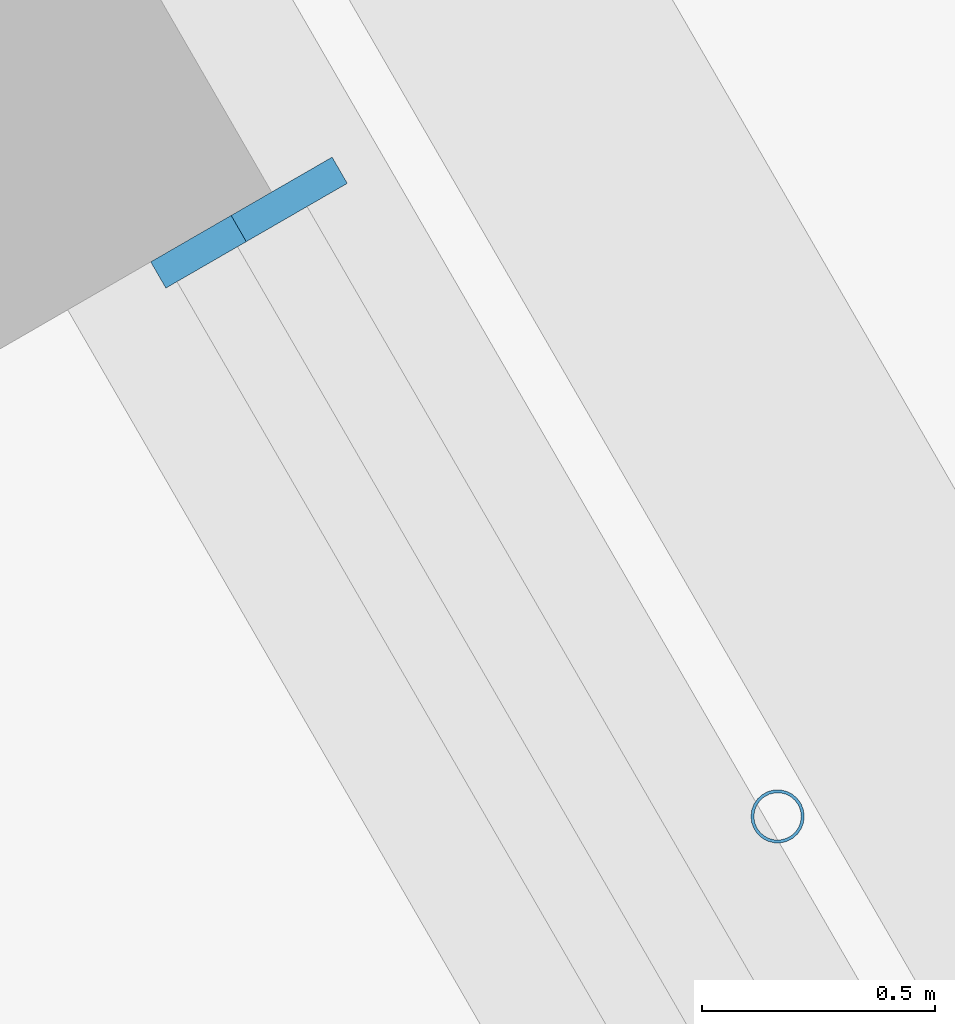
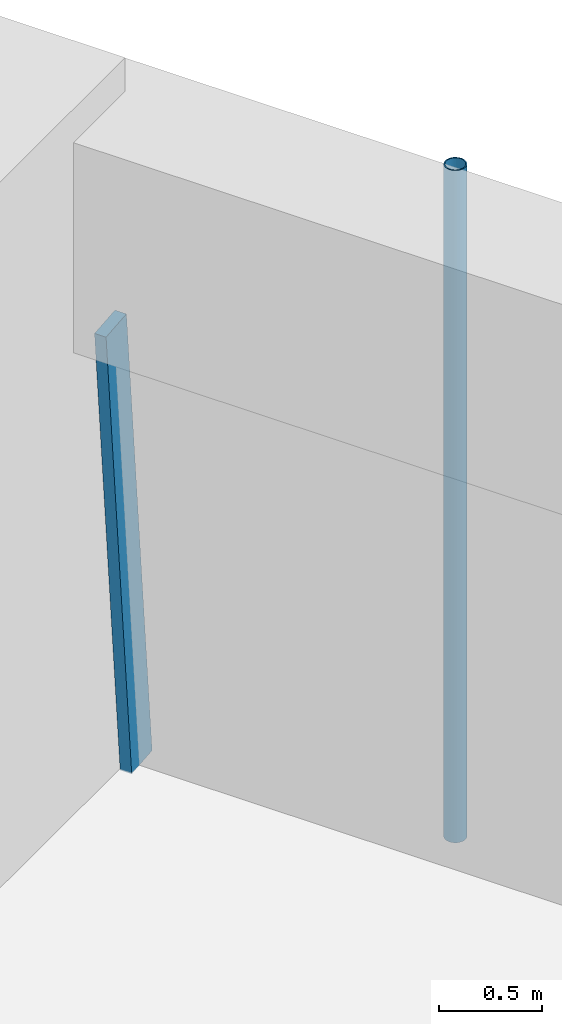
# One storey, part 15 of 24: 2 members, 1 element without a shape of its own.
"""IFC4 building model written with IfcOpenShell, lengths in metres."""

from ifc_helpers import new_model, si_unit, direction, frame, origin, origin_2d, place, context, subcontext, project, spatial, rectangle, hollow_circle, extrude, material, material_profile, profile_set, type_object, element, aggregate, save


model = new_model("IFC4")

# Units and contexts
model_context = context("Model", 3, precision=1e-05, world=origin(), true_north=direction((0.0, 1.0)))
body_context = subcontext(model_context, "Body", "Model", "MODEL_VIEW")
ifc_project = project(units=[si_unit("LENGTHUNIT", "METRE"), si_unit("AREAUNIT", "SQUARE_METRE"), si_unit("VOLUMEUNIT", "CUBIC_METRE"), si_unit("PLANEANGLEUNIT", "RADIAN"), si_unit("MASSUNIT", "GRAM", prefix="KILO")], contexts=[model_context])

# Site, building, storey
site_placement = place(None, origin())
site = spatial("IfcSite", under=ifc_project, at=site_placement, CompositionType="ELEMENT")
building_placement = place(site_placement, origin())
building = spatial("IfcBuilding", under=site, at=building_placement, Name="Tarfa Lantern Tower", CompositionType="ELEMENT")
storey_placement = place(building_placement, frame((0.0, 0.0, 161.5)))
storey = spatial("IfcBuildingStorey", under=building, at=storey_placement, Name="L36", CompositionType="ELEMENT", Elevation=161.5)

# Curtain wall, member
ifc_material_1 = material(Name="Aluminium framed curtain wall", Category="aluminium")
curtain_wall_type = type_object("IfcCurtainWallType", Name="CW2 CANTED GLAZING MID ZONE 2750", PredefinedType="USERDEFINED", material=ifc_material_1)
curtain_wall_placement = place(storey_placement, origin())
curtain_wall = element("IfcCurtainWall", 1, at=curtain_wall_placement, inside=storey, type_object=curtain_wall_type, Name="CW2 NE L36", ObjectType="CURTAIN WALL", PredefinedType="USERDEFINED")
ifc_material_2 = material(Name="Aluminium mullion", Category="aluminium")
ifc_material_profile_1 = material_profile(ifc_material_2, rectangle(XDim=0.06494140625, YDim=0.199951171875, at=origin_2d()), Name="AL MULLION 65x200")
ifc_profile_set_1 = profile_set([ifc_material_profile_1], Name="Aluminium mullion")
member_type_1 = type_object("IfcMemberType", Name="CWM1 MULLION 65x200", PredefinedType="MULLION", material=ifc_profile_set_1)
member_1_placement = place(storey_placement, frame((30.111328125, 10.645751953125, 0.0), z_axis=(-0.078422950161, -0.045267813396, 0.995891894715), x_axis=(0.499919672301, -0.866071776036, 0.0)))
member_1 = element("IfcMember", 2, at=member_1_placement, type_object=member_type_1, Name="CW2 mullion 2", PredefinedType="MULLION", context=body_context, shape_type="SweptSolid", body=[
    extrude(rectangle(XDim=0.06494140625, YDim=0.199951171875, at=origin_2d()), origin(), (0.0, 0.0, 1.0), 2.76123046875),
])
aggregate(curtain_wall, [member_1])

# Member
ifc_material_3 = material(Name="Steel S355", Category="steel")
ifc_material_profile_2 = material_profile(ifc_material_3, hollow_circle(Radius=0.05712890625, WallThickness=0.00634765625, at=origin_2d()), Name="CHS114.3x6.3")
ifc_profile_set_2 = profile_set([ifc_material_profile_2], Name="Steel S355")
member_type_2 = type_object("IfcMemberType", Name="TR1 GREEN WALL TRELLIS CHS114.3x6.3", PredefinedType="USERDEFINED", material=ifc_profile_set_2)
member_2_placement = place(storey_placement, frame((31.136474609375, 9.31005859375, 0.0), z_axis=(0.0, 0.0, 1.0), x_axis=(1.0, 0.0, 0.0)))
element("IfcMember", 3, at=member_2_placement, inside=storey, type_object=member_type_2, Name="Trellis post NE 1", ObjectType="TRELLIS", PredefinedType="USERDEFINED", context=body_context, shape_type="SweptSolid", body=[
    extrude(hollow_circle(Radius=0.05712890625, WallThickness=0.00634765625, at=origin_2d()), origin(), (0.0, 0.0, 1.0), 4.0),
])

save(model, "model.ifc")
